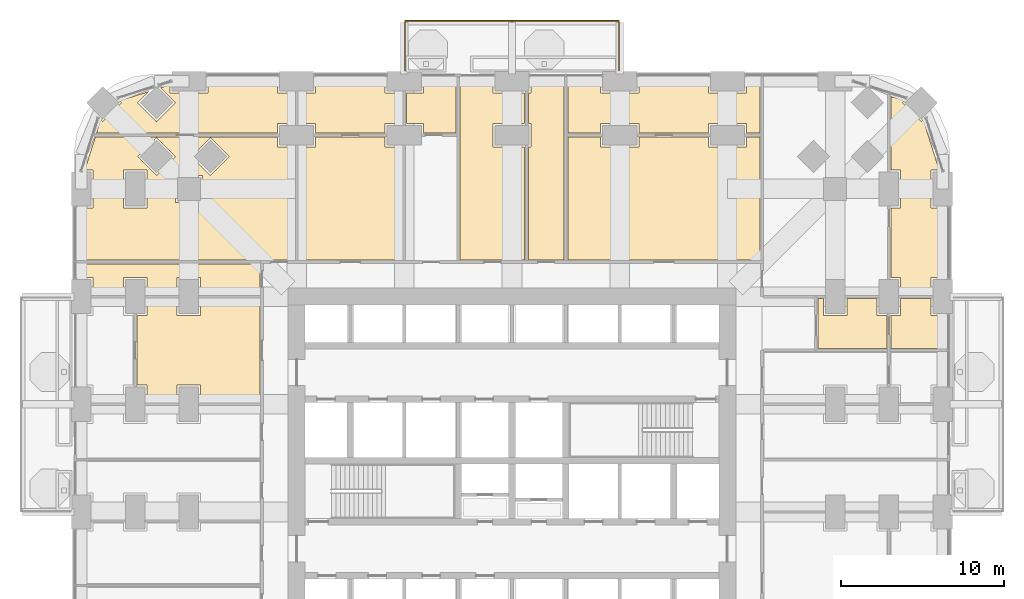
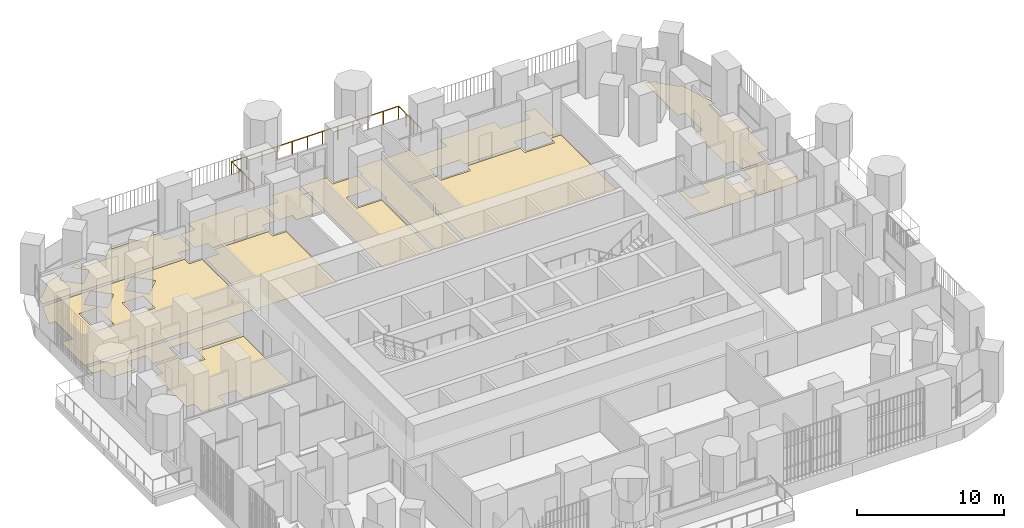
# One storey, part 25 of 26: 14 coverings, 1 railing.
"""IFC4 building model written with IfcOpenShell, lengths in metres."""

from ifc_helpers import new_model, si_unit, direction, frame, origin, place, context, subcontext, project, spatial, polyline, outline, extrude, material, layer, layer_set, type_object, element, save


model = new_model("IFC4")

# Units and contexts
model_context = context("Model", 3, precision=1e-05, world=origin(), true_north=direction((0.0, 1.0)))
body_context = subcontext(model_context, "Body", "Model", "MODEL_VIEW")
ifc_project = project(units=[si_unit("LENGTHUNIT", "METRE"), si_unit("AREAUNIT", "SQUARE_METRE"), si_unit("VOLUMEUNIT", "CUBIC_METRE"), si_unit("PLANEANGLEUNIT", "RADIAN"), si_unit("MASSUNIT", "GRAM", prefix="KILO")], contexts=[model_context])

# Site, building, storey
site_placement = place(None, origin())
site = spatial("IfcSite", under=ifc_project, at=site_placement, CompositionType="ELEMENT")
building_placement = place(site_placement, origin())
building = spatial("IfcBuilding", under=site, at=building_placement, Name="Cobogo Forest Laboratory Tower", CompositionType="ELEMENT")
storey_placement = place(building_placement, frame((0.0, 0.0, 25.5)))
storey = spatial("IfcBuildingStorey", under=building, at=storey_placement, Name="L05", CompositionType="ELEMENT", Elevation=25.5)

# Railing
ifc_material_1 = material(Name="Laminated glass balustrade", Category="glass")
railing_type = type_object("IfcRailingType", Name="BG1 glass balustrade 1100", PredefinedType="GUARDRAIL", material=ifc_material_1)
railing_placement = place(storey_placement, frame((19.85009765625, 46.85009765625, 0.0)))
element("IfcRailing", 1, at=railing_placement, inside=storey, type_object=railing_type, Name="Balcony balustrade BAL-N1 L05", PredefinedType="GUARDRAIL", context=body_context, shape_type="SweptSolid", body=[
    extrude(outline(polyline([(0.022216796875, 0.00927734375), (0.00927734375, 0.022216796875), (-0.00927734375, 0.022216796875), (-0.022216796875, 0.00927734375), (-0.022216796875, -0.00927734375), (-0.00927734375, -0.022216796875), (0.00927734375, -0.022216796875), (0.022216796875, -0.00927734375), (0.022216796875, 0.00927734375)])), frame((0.0, 0.0, 1.077880859375), z_axis=(0.0, 1.0, 0.0), x_axis=(-1.0, 0.0, 0.0)), (0.0, 0.0, 1.0), 3.0498046875),
    extrude(outline(polyline([(0.022216796875, 0.00927734375), (0.00927734375, 0.022216796875), (-0.00927734375, 0.022216796875), (-0.022216796875, 0.00927734375), (-0.022216796875, -0.00927734375), (-0.00927734375, -0.022216796875), (0.00927734375, -0.022216796875), (0.022216796875, -0.00927734375), (0.022216796875, 0.00927734375)])), frame((0.0, 3.0498046875, 1.077880859375), z_axis=(1.0, 0.0, 0.0), x_axis=(0.0, 1.0, 0.0)), (0.0, 0.0, 1.0), 13.099853515625),
    extrude(outline(polyline([(0.022216796875, 0.00927734375), (0.00927734375, 0.022216796875), (-0.00927734375, 0.022216796875), (-0.022216796875, 0.00927734375), (-0.022216796875, -0.00927734375), (-0.00927734375, -0.022216796875), (0.00927734375, -0.022216796875), (0.022216796875, -0.00927734375), (0.022216796875, 0.00927734375)])), frame((13.099853515625, 3.0498046875, 1.077880859375), z_axis=(0.0, -1.0, 0.0), x_axis=(1.0, 0.0, 0.0)), (0.0, 0.0, 1.0), 3.0498046875),
    extrude(outline(polyline([(0.019287109375, 0.008056640625), (0.008056640625, 0.019287109375), (-0.008056640625, 0.019287109375), (-0.019287109375, 0.008056640625), (-0.019287109375, -0.008056640625), (-0.008056640625, -0.019287109375), (0.008056640625, -0.019287109375), (0.019287109375, -0.008056640625), (0.019287109375, 0.008056640625)])), origin(), (0.0, 0.0, 1.0), 1.077880859375),
    extrude(outline(polyline([(0.019287109375, 0.008056640625), (0.008056640625, 0.019287109375), (-0.008056640625, 0.019287109375), (-0.019287109375, 0.008056640625), (-0.019287109375, -0.008056640625), (-0.008056640625, -0.019287109375), (0.008056640625, -0.019287109375), (0.019287109375, -0.008056640625), (0.019287109375, 0.008056640625)])), frame((0.0, 1.0166015625, 0.0)), (0.0, 0.0, 1.0), 1.077880859375),
    extrude(outline(polyline([(0.019287109375, 0.008056640625), (0.008056640625, 0.019287109375), (-0.008056640625, 0.019287109375), (-0.019287109375, 0.008056640625), (-0.019287109375, -0.008056640625), (-0.008056640625, -0.019287109375), (0.008056640625, -0.019287109375), (0.019287109375, -0.008056640625), (0.019287109375, 0.008056640625)])), frame((0.0, 2.033203125, 0.0)), (0.0, 0.0, 1.0), 1.077880859375),
    extrude(outline(polyline([(0.019287109375, 0.008056640625), (0.008056640625, 0.019287109375), (-0.008056640625, 0.019287109375), (-0.019287109375, 0.008056640625), (-0.019287109375, -0.008056640625), (-0.008056640625, -0.019287109375), (0.008056640625, -0.019287109375), (0.019287109375, -0.008056640625), (0.019287109375, 0.008056640625)])), frame((0.0, 3.0498046875, 0.0)), (0.0, 0.0, 1.0), 1.077880859375),
    extrude(outline(polyline([(0.019287109375, 0.008056640625), (0.008056640625, 0.019287109375), (-0.008056640625, 0.019287109375), (-0.019287109375, 0.008056640625), (-0.019287109375, -0.008056640625), (-0.008056640625, -0.019287109375), (0.008056640625, -0.019287109375), (0.019287109375, -0.008056640625), (0.019287109375, 0.008056640625)])), frame((1.19091796875, 3.0498046875, 0.0)), (0.0, 0.0, 1.0), 1.077880859375),
    extrude(outline(polyline([(0.019287109375, 0.008056640625), (0.008056640625, 0.019287109375), (-0.008056640625, 0.019287109375), (-0.019287109375, 0.008056640625), (-0.019287109375, -0.008056640625), (-0.008056640625, -0.019287109375), (0.008056640625, -0.019287109375), (0.019287109375, -0.008056640625), (0.019287109375, 0.008056640625)])), frame((2.3818359375, 3.0498046875, 0.0)), (0.0, 0.0, 1.0), 1.077880859375),
    extrude(outline(polyline([(0.019287109375, 0.008056640625), (0.008056640625, 0.019287109375), (-0.008056640625, 0.019287109375), (-0.019287109375, 0.008056640625), (-0.019287109375, -0.008056640625), (-0.008056640625, -0.019287109375), (0.008056640625, -0.019287109375), (0.019287109375, -0.008056640625), (0.019287109375, 0.008056640625)])), frame((3.57275390625, 3.0498046875, 0.0)), (0.0, 0.0, 1.0), 1.077880859375),
    extrude(outline(polyline([(0.019287109375, 0.008056640625), (0.008056640625, 0.019287109375), (-0.008056640625, 0.019287109375), (-0.019287109375, 0.008056640625), (-0.019287109375, -0.008056640625), (-0.008056640625, -0.019287109375), (0.008056640625, -0.019287109375), (0.019287109375, -0.008056640625), (0.019287109375, 0.008056640625)])), frame((4.763671875, 3.0498046875, 0.0)), (0.0, 0.0, 1.0), 1.077880859375),
    extrude(outline(polyline([(0.019287109375, 0.008056640625), (0.008056640625, 0.019287109375), (-0.008056640625, 0.019287109375), (-0.019287109375, 0.008056640625), (-0.019287109375, -0.008056640625), (-0.008056640625, -0.019287109375), (0.008056640625, -0.019287109375), (0.019287109375, -0.008056640625), (0.019287109375, 0.008056640625)])), frame((5.95458984375, 3.0498046875, 0.0)), (0.0, 0.0, 1.0), 1.077880859375),
    extrude(outline(polyline([(0.019287109375, 0.008056640625), (0.008056640625, 0.019287109375), (-0.008056640625, 0.019287109375), (-0.019287109375, 0.008056640625), (-0.019287109375, -0.008056640625), (-0.008056640625, -0.019287109375), (0.008056640625, -0.019287109375), (0.019287109375, -0.008056640625), (0.019287109375, 0.008056640625)])), frame((7.145263671875, 3.0498046875, 0.0)), (0.0, 0.0, 1.0), 1.077880859375),
    extrude(outline(polyline([(0.019287109375, 0.008056640625), (0.008056640625, 0.019287109375), (-0.008056640625, 0.019287109375), (-0.019287109375, 0.008056640625), (-0.019287109375, -0.008056640625), (-0.008056640625, -0.019287109375), (0.008056640625, -0.019287109375), (0.019287109375, -0.008056640625), (0.019287109375, 0.008056640625)])), frame((8.336181640625, 3.0498046875, 0.0)), (0.0, 0.0, 1.0), 1.077880859375),
    extrude(outline(polyline([(0.019287109375, 0.008056640625), (0.008056640625, 0.019287109375), (-0.008056640625, 0.019287109375), (-0.019287109375, 0.008056640625), (-0.019287109375, -0.008056640625), (-0.008056640625, -0.019287109375), (0.008056640625, -0.019287109375), (0.019287109375, -0.008056640625), (0.019287109375, 0.008056640625)])), frame((9.527099609375, 3.0498046875, 0.0)), (0.0, 0.0, 1.0), 1.077880859375),
    extrude(outline(polyline([(0.019287109375, 0.008056640625), (0.008056640625, 0.019287109375), (-0.008056640625, 0.019287109375), (-0.019287109375, 0.008056640625), (-0.019287109375, -0.008056640625), (-0.008056640625, -0.019287109375), (0.008056640625, -0.019287109375), (0.019287109375, -0.008056640625), (0.019287109375, 0.008056640625)])), frame((10.718017578125, 3.0498046875, 0.0)), (0.0, 0.0, 1.0), 1.077880859375),
    extrude(outline(polyline([(0.019287109375, 0.008056640625), (0.008056640625, 0.019287109375), (-0.008056640625, 0.019287109375), (-0.019287109375, 0.008056640625), (-0.019287109375, -0.008056640625), (-0.008056640625, -0.019287109375), (0.008056640625, -0.019287109375), (0.019287109375, -0.008056640625), (0.019287109375, 0.008056640625)])), frame((11.908935546875, 3.0498046875, 0.0)), (0.0, 0.0, 1.0), 1.077880859375),
    extrude(outline(polyline([(0.019287109375, 0.008056640625), (0.008056640625, 0.019287109375), (-0.008056640625, 0.019287109375), (-0.019287109375, 0.008056640625), (-0.019287109375, -0.008056640625), (-0.008056640625, -0.019287109375), (0.008056640625, -0.019287109375), (0.019287109375, -0.008056640625), (0.019287109375, 0.008056640625)])), frame((13.099853515625, 3.0498046875, 0.0)), (0.0, 0.0, 1.0), 1.077880859375),
    extrude(outline(polyline([(0.019287109375, 0.008056640625), (0.008056640625, 0.019287109375), (-0.008056640625, 0.019287109375), (-0.019287109375, 0.008056640625), (-0.019287109375, -0.008056640625), (-0.008056640625, -0.019287109375), (0.008056640625, -0.019287109375), (0.019287109375, -0.008056640625), (0.019287109375, 0.008056640625)])), frame((13.099853515625, 2.033203125, 0.0)), (0.0, 0.0, 1.0), 1.077880859375),
    extrude(outline(polyline([(0.019287109375, 0.008056640625), (0.008056640625, 0.019287109375), (-0.008056640625, 0.019287109375), (-0.019287109375, 0.008056640625), (-0.019287109375, -0.008056640625), (-0.008056640625, -0.019287109375), (0.008056640625, -0.019287109375), (0.019287109375, -0.008056640625), (0.019287109375, 0.008056640625)])), frame((13.099853515625, 1.0166015625, 0.0)), (0.0, 0.0, 1.0), 1.077880859375),
    extrude(outline(polyline([(0.019287109375, 0.008056640625), (0.008056640625, 0.019287109375), (-0.008056640625, 0.019287109375), (-0.019287109375, 0.008056640625), (-0.019287109375, -0.008056640625), (-0.008056640625, -0.019287109375), (0.008056640625, -0.019287109375), (0.019287109375, -0.008056640625), (0.019287109375, 0.008056640625)])), frame((13.099853515625, 0.0, 0.0)), (0.0, 0.0, 1.0), 1.077880859375),
])

# Coverings
ifc_material_2 = material(Name="Carpet tile on raised access floor", Category="flooring")
ifc_layer_1 = layer(ifc_material_2, 0.008056640625)
ifc_layer_set_1 = layer_set([ifc_layer_1], Name="CT1 carpet tile floor 8")
covering_type_1 = type_object("IfcCoveringType", Name="CT1 carpet tile floor 8", PredefinedType="FLOORING", material=ifc_layer_set_1)
covering_1_placement = place(storey_placement, origin())
element("IfcCovering", 2, at=covering_1_placement, inside=storey, type_object=covering_type_1, Name="Carpet floor L05-15", PredefinedType="FLOORING", context=body_context, shape_type="SweptSolid", body=[
    extrude(outline(polyline([(49.6201171875, 31.830078125), (50.219970703125, 31.830078125), (50.219970703125, 32.8798828125), (52.080078125, 32.8798828125), (52.080078125, 31.830078125), (52.949951171875, 31.830078125), (52.949951171875, 29.820068359375), (49.6201171875, 29.820068359375), (49.6201171875, 31.830078125)])), origin(), (0.0, 0.0, 1.0), 0.008056640625),
])
covering_2_placement = place(storey_placement, origin())
element("IfcCovering", 3, at=covering_2_placement, inside=storey, type_object=covering_type_1, Name="Carpet floor L05-17", PredefinedType="FLOORING", context=body_context, shape_type="SweptSolid", body=[
    extrude(outline(polyline([(49.6201171875, 38.429931640625), (50.219970703125, 38.429931640625), (50.219970703125, 40.77001953125), (49.6201171875, 40.77001953125), (49.6201171875, 45.26025390625), (50.441162109375, 45.0009765625), (50.322265625, 44.882080078125), (51.48193359375, 43.722412109375), (51.600830078125, 43.84130859375), (52.57080078125, 40.77001953125), (52.080078125, 40.77001953125), (52.080078125, 38.429931640625), (52.949951171875, 38.429931640625), (52.949951171875, 34.169921875), (52.080078125, 34.169921875), (52.080078125, 33.1201171875), (50.219970703125, 33.1201171875), (50.219970703125, 34.169921875), (49.6201171875, 34.169921875), (49.6201171875, 38.429931640625)])), origin(), (0.0, 0.0, 1.0), 0.008056640625),
])
covering_3_placement = place(storey_placement, origin())
element("IfcCovering", 4, at=covering_3_placement, inside=storey, type_object=covering_type_1, Name="Carpet floor L05-19", PredefinedType="FLOORING", context=body_context, shape_type="SweptSolid", body=[
    extrude(outline(polyline([(0.939697265625, 43.02001953125), (1.19921875, 43.84130859375), (1.318115234375, 43.722412109375), (2.477783203125, 44.882080078125), (2.358642578125, 45.0009765625), (4.1396484375, 45.563232421875), (3.458251953125, 44.882080078125), (4.617919921875, 43.722412109375), (5.777587890625, 44.882080078125), (4.86669921875, 45.79296875), (5.429931640625, 45.970703125), (5.429931640625, 45.47998046875), (7.77001953125, 45.47998046875), (7.77001953125, 46.35009765625), (12.030029296875, 46.35009765625), (12.030029296875, 45.47998046875), (13.080078125, 45.47998046875), (13.080078125, 43.6201171875), (12.030029296875, 43.6201171875), (12.030029296875, 43.02001953125), (0.939697265625, 43.02001953125)])), origin(), (0.0, 0.0, 1.0), 0.008056640625),
])
covering_4_placement = place(storey_placement, origin())
element("IfcCovering", 5, at=covering_4_placement, inside=storey, type_object=covering_type_1, Name="Carpet floor L05-21", PredefinedType="FLOORING", context=body_context, shape_type="SweptSolid", body=[
    extrude(outline(polyline([(14.3701171875, 43.02001953125), (14.3701171875, 43.6201171875), (13.320068359375, 43.6201171875), (13.320068359375, 45.47998046875), (14.3701171875, 45.47998046875), (14.3701171875, 46.35009765625), (18.6298828125, 46.35009765625), (18.6298828125, 45.47998046875), (19.679931640625, 45.47998046875), (19.679931640625, 43.6201171875), (18.6298828125, 43.6201171875), (18.6298828125, 43.02001953125), (14.3701171875, 43.02001953125)])), origin(), (0.0, 0.0, 1.0), 0.008056640625),
])
covering_5_placement = place(storey_placement, origin())
element("IfcCovering", 6, at=covering_5_placement, inside=storey, type_object=covering_type_1, Name="Carpet floor L05-23", PredefinedType="FLOORING", context=body_context, shape_type="SweptSolid", body=[
    extrude(outline(polyline([(20.969970703125, 43.02001953125), (20.969970703125, 43.6201171875), (19.919921875, 43.6201171875), (19.919921875, 45.47998046875), (20.969970703125, 45.47998046875), (20.969970703125, 46.35009765625), (22.97998046875, 46.35009765625), (22.97998046875, 43.02001953125), (20.969970703125, 43.02001953125)])), origin(), (0.0, 0.0, 1.0), 0.008056640625),
])
covering_6_placement = place(storey_placement, origin())
element("IfcCovering", 7, at=covering_6_placement, inside=storey, type_object=covering_type_1, Name="Carpet floor L05-24", PredefinedType="FLOORING", context=body_context, shape_type="SweptSolid", body=[
    extrude(outline(polyline([(23.219970703125, 35.2451171875), (23.219970703125, 46.35009765625), (25.22998046875, 46.35009765625), (25.22998046875, 45.47998046875), (27.179931640625, 45.47998046875), (27.179931640625, 43.6201171875), (25.22998046875, 43.6201171875), (25.22998046875, 42.179931640625), (27.179931640625, 42.179931640625), (27.179931640625, 35.2451171875), (23.219970703125, 35.2451171875)])), origin(), (0.0, 0.0, 1.0), 0.008056640625),
])
covering_7_placement = place(storey_placement, origin())
element("IfcCovering", 8, at=covering_7_placement, inside=storey, type_object=covering_type_1, Name="Carpet floor L05-27", PredefinedType="FLOORING", context=body_context, shape_type="SweptSolid", body=[
    extrude(outline(polyline([(40.77001953125, 43.02001953125), (40.77001953125, 43.6201171875), (38.429931640625, 43.6201171875), (38.429931640625, 43.02001953125), (34.169921875, 43.02001953125), (34.169921875, 43.6201171875), (31.830078125, 43.6201171875), (31.830078125, 43.02001953125), (29.820068359375, 43.02001953125), (29.820068359375, 46.35009765625), (31.830078125, 46.35009765625), (31.830078125, 45.47998046875), (34.169921875, 45.47998046875), (34.169921875, 46.35009765625), (38.429931640625, 46.35009765625), (38.429931640625, 45.47998046875), (40.77001953125, 45.47998046875), (40.77001953125, 46.35009765625), (41.60498046875, 46.35009765625), (41.60498046875, 43.02001953125), (40.77001953125, 43.02001953125)])), origin(), (0.0, 0.0, 1.0), 0.008056640625),
])
covering_8_placement = place(storey_placement, origin())
element("IfcCovering", 9, at=covering_8_placement, inside=storey, type_object=covering_type_1, Name="Carpet floor L05-36", PredefinedType="FLOORING", context=body_context, shape_type="SweptSolid", body=[
    extrude(outline(polyline([(10.955078125, 33.1201171875), (7.320068359375, 33.1201171875), (7.320068359375, 34.169921875), (5.8798828125, 34.169921875), (5.8798828125, 33.1201171875), (4.02001953125, 33.1201171875), (4.02001953125, 34.169921875), (2.580078125, 34.169921875), (2.580078125, 33.1201171875), (0.719970703125, 33.1201171875), (0.719970703125, 34.169921875), (-0.14990234375, 34.169921875), (-0.14990234375, 35.0048828125), (10.955078125, 35.0048828125), (10.955078125, 33.1201171875)])), origin(), (0.0, 0.0, 1.0), 0.008056640625),
])
ifc_material_3 = material(Name="Epoxy resin flooring", Category="flooring")
ifc_layer_2 = layer(ifc_material_3, 0.00390625)
ifc_layer_set_2 = layer_set([ifc_layer_2], Name="LF1 epoxy laboratory floor 4")
covering_type_2 = type_object("IfcCoveringType", Name="LF1 epoxy laboratory floor 4", PredefinedType="FLOORING", material=ifc_layer_set_2)
covering_9_placement = place(storey_placement, origin())
element("IfcCovering", 10, at=covering_9_placement, inside=storey, type_object=covering_type_2, Name="Epoxy laboratory floor L05-14", PredefinedType="FLOORING", context=body_context, shape_type="SweptSolid", body=[
    extrude(outline(polyline([(45.14501953125, 32.8798828125), (45.47998046875, 32.8798828125), (45.47998046875, 31.830078125), (46.919921875, 31.830078125), (46.919921875, 32.8798828125), (48.780029296875, 32.8798828125), (48.780029296875, 31.830078125), (49.3798828125, 31.830078125), (49.3798828125, 29.820068359375), (45.14501953125, 29.820068359375), (45.14501953125, 32.8798828125)])), origin(), (0.0, 0.0, 1.0), 0.00390625),
])
covering_10_placement = place(storey_placement, origin())
element("IfcCovering", 11, at=covering_10_placement, inside=storey, type_object=covering_type_2, Name="Epoxy laboratory floor L05-20", PredefinedType="FLOORING", context=body_context, shape_type="SweptSolid", body=[
    extrude(outline(polyline([(13.320068359375, 42.179931640625), (14.3701171875, 42.179931640625), (14.3701171875, 42.780029296875), (18.6298828125, 42.780029296875), (18.6298828125, 42.179931640625), (19.679931640625, 42.179931640625), (19.679931640625, 35.2451171875), (13.320068359375, 35.2451171875), (13.320068359375, 42.179931640625)])), origin(), (0.0, 0.0, 1.0), 0.00390625),
])
covering_11_placement = place(storey_placement, origin())
element("IfcCovering", 12, at=covering_11_placement, inside=storey, type_object=covering_type_2, Name="Epoxy laboratory floor L05-26", PredefinedType="FLOORING", context=body_context, shape_type="SweptSolid", body=[
    extrude(outline(polyline([(29.820068359375, 42.780029296875), (31.830078125, 42.780029296875), (31.830078125, 42.179931640625), (34.169921875, 42.179931640625), (34.169921875, 42.780029296875), (38.429931640625, 42.780029296875), (38.429931640625, 42.179931640625), (40.77001953125, 42.179931640625), (40.77001953125, 42.780029296875), (41.60498046875, 42.780029296875), (41.60498046875, 35.2451171875), (29.820068359375, 35.2451171875), (29.820068359375, 42.780029296875)])), origin(), (0.0, 0.0, 1.0), 0.00390625),
])
covering_12_placement = place(storey_placement, origin())
element("IfcCovering", 13, at=covering_12_placement, inside=storey, type_object=covering_type_2, Name="Epoxy laboratory floor L05-34", PredefinedType="FLOORING", context=body_context, shape_type="SweptSolid", body=[
    extrude(outline(polyline([(3.419921875, 31.830078125), (4.02001953125, 31.830078125), (4.02001953125, 32.8798828125), (5.8798828125, 32.8798828125), (5.8798828125, 31.830078125), (7.320068359375, 31.830078125), (7.320068359375, 32.8798828125), (10.955078125, 32.8798828125), (10.955078125, 26.52001953125), (7.320068359375, 26.52001953125), (7.320068359375, 27.570068359375), (5.8798828125, 27.570068359375), (5.8798828125, 26.52001953125), (4.02001953125, 26.52001953125), (4.02001953125, 27.570068359375), (3.419921875, 27.570068359375), (3.419921875, 31.830078125)])), origin(), (0.0, 0.0, 1.0), 0.00390625),
])
ifc_material_4 = material(Name="Ceramic floor tile", Category="flooring")
ifc_layer_3 = layer(ifc_material_4, 0.010009765625)
ifc_layer_set_3 = layer_set([ifc_layer_3], Name="TF1 ceramic tile floor 10")
covering_type_3 = type_object("IfcCoveringType", Name="TF1 ceramic tile floor 10", PredefinedType="FLOORING", material=ifc_layer_set_3)
covering_13_placement = place(storey_placement, origin())
element("IfcCovering", 14, at=covering_13_placement, inside=storey, type_object=covering_type_3, Name="Tile floor L05-18", PredefinedType="FLOORING", context=body_context, shape_type="SweptSolid", body=[
    extrude(outline(polyline([(13.080078125, 35.2451171875), (-0.14990234375, 35.2451171875), (-0.14990234375, 38.429931640625), (0.719970703125, 38.429931640625), (0.719970703125, 40.77001953125), (0.229248046875, 40.77001953125), (0.864013671875, 42.780029296875), (12.030029296875, 42.780029296875), (12.030029296875, 42.179931640625), (13.080078125, 42.179931640625), (13.080078125, 35.2451171875)]), holes=[polyline([(6.75830078125, 41.58203125), (7.91796875, 40.42236328125), (9.07763671875, 41.58203125), (7.91796875, 42.74169921875), (6.75830078125, 41.58203125)]), polyline([(5.780029296875, 40.419921875), (5.780029296875, 38.780029296875), (7.419921875, 38.780029296875), (7.419921875, 40.419921875), (5.780029296875, 40.419921875)]), polyline([(3.458251953125, 41.58203125), (4.617919921875, 40.42236328125), (5.777587890625, 41.58203125), (4.617919921875, 42.74169921875), (3.458251953125, 41.58203125)]), polyline([(2.580078125, 38.429931640625), (4.02001953125, 38.429931640625), (4.02001953125, 40.77001953125), (2.580078125, 40.77001953125), (2.580078125, 38.429931640625)])]), origin(), (0.0, 0.0, 1.0), 0.010009765625),
])
covering_14_placement = place(storey_placement, origin())
element("IfcCovering", 15, at=covering_14_placement, inside=storey, type_object=covering_type_3, Name="Tile floor L05-25", PredefinedType="FLOORING", context=body_context, shape_type="SweptSolid", body=[
    extrude(outline(polyline([(27.419921875, 35.2451171875), (27.419921875, 42.179931640625), (27.570068359375, 42.179931640625), (27.570068359375, 43.6201171875), (27.419921875, 43.6201171875), (27.419921875, 45.47998046875), (27.570068359375, 45.47998046875), (27.570068359375, 46.35009765625), (29.580078125, 46.35009765625), (29.580078125, 35.2451171875), (27.419921875, 35.2451171875)])), origin(), (0.0, 0.0, 1.0), 0.010009765625),
])

save(model, "model.ifc")
